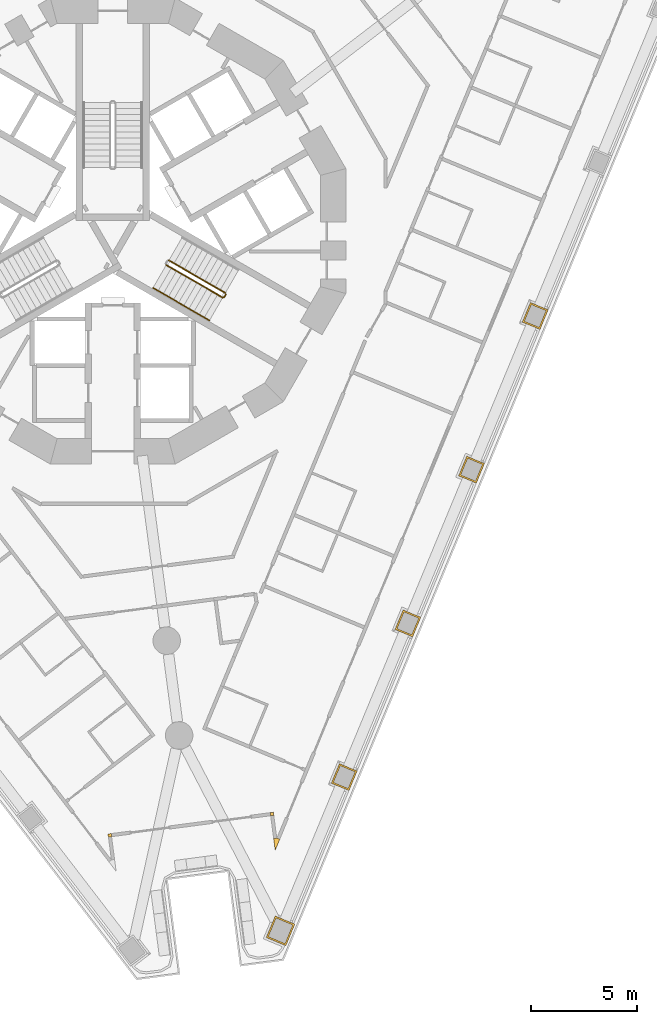
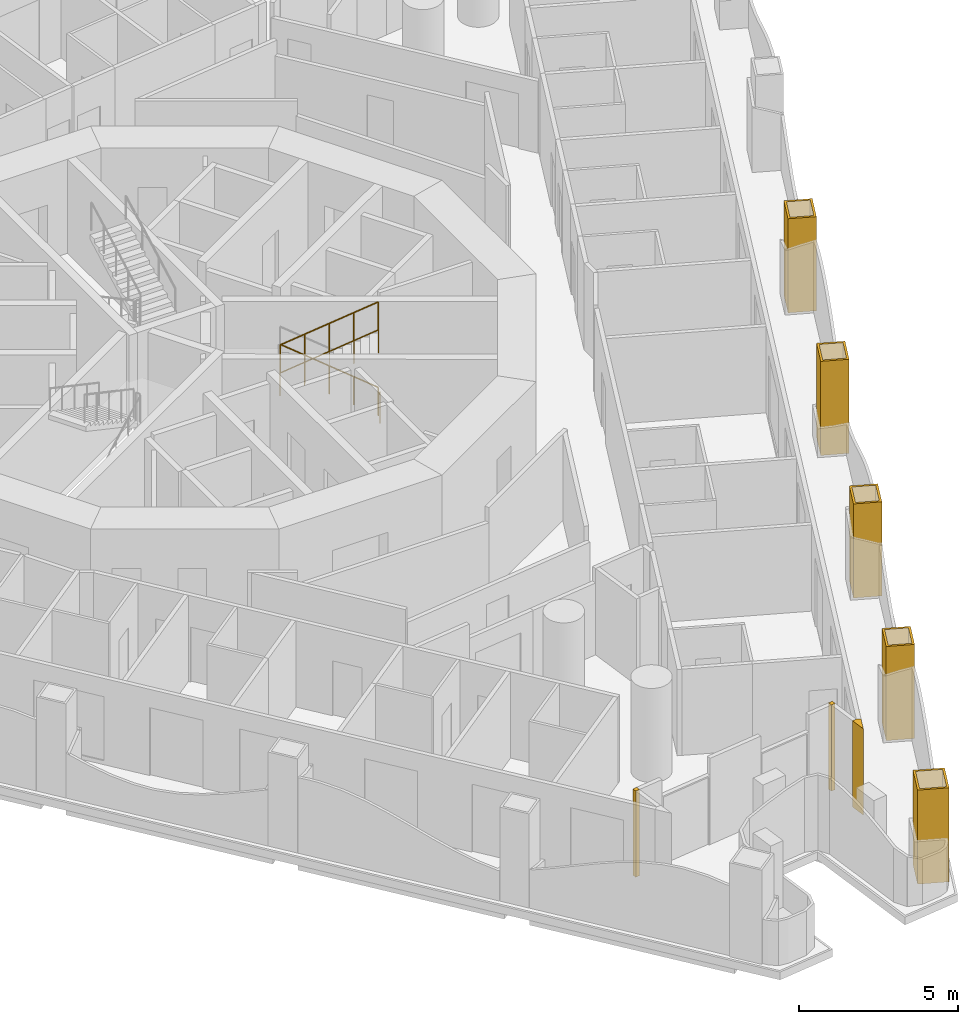
# One storey, part 14 of 19: 8 coverings, 5 railings.
"""IFC4 building model written with IfcOpenShell, lengths in metres."""

from ifc_helpers import new_model, si_unit, direction, frame, origin, origin_2d, place, context, subcontext, project, spatial, polyline, circle, outline, extrude, material, layer, layer_set, type_object, element, save


model = new_model("IFC4")

# Units and contexts
model_context = context("Model", 3, precision=1e-05, world=origin(), true_north=direction((0.0, 1.0)))
body_context = subcontext(model_context, "Body", "Model", "MODEL_VIEW")
ifc_project = project(units=[si_unit("LENGTHUNIT", "METRE"), si_unit("AREAUNIT", "SQUARE_METRE"), si_unit("VOLUMEUNIT", "CUBIC_METRE"), si_unit("PLANEANGLEUNIT", "RADIAN"), si_unit("MASSUNIT", "GRAM", prefix="KILO")], contexts=[model_context])

# Site, building, storey
site_placement = place(None, origin())
site = spatial("IfcSite", under=ifc_project, at=site_placement, CompositionType="ELEMENT")
building_placement = place(site_placement, origin())
building = spatial("IfcBuilding", under=site, at=building_placement, Name="Trine Commons Tower", CompositionType="ELEMENT")
storey_placement = place(building_placement, frame((0.0, 0.0, 54.0)))
storey = spatial("IfcBuildingStorey", under=building, at=storey_placement, Name="L12", CompositionType="ELEMENT", Elevation=54.0)

# Coverings
ifc_material_1 = material(Name="Aluminium-framed insulated wall panel", Category="aluminium")
ifc_layer_1 = layer(ifc_material_1, 0.14990234375)
ifc_layer_set_1 = layer_set([ifc_layer_1], Name="Aluminium-framed insulated wall panel")
covering_type_1 = type_object("IfcCoveringType", Name="Glazing corner post, aluminium", PredefinedType="CLADDING", material=ifc_layer_set_1)
covering_1_placement = place(storey_placement, origin())
element("IfcCovering", 1, at=covering_1_placement, inside=storey, type_object=covering_type_1, Name="Glazing corner post 2-09", PredefinedType="CLADDING", context=body_context, shape_type="SweptSolid", body=[
    extrude(outline(polyline([(87.6015625, 33.79736328125), (87.674560546875, 33.242431640625), (87.888916015625, 33.759521484375), (87.750244140625, 33.81689453125), (87.6015625, 33.79736328125)])), origin(), (0.0, 0.0, 1.0), 3.300048828125),
])
covering_2_placement = place(storey_placement, origin())
element("IfcCovering", 2, at=covering_2_placement, inside=storey, type_object=covering_type_1, Name="Glazing corner post 2-10", PredefinedType="CLADDING", context=body_context, shape_type="SweptSolid", body=[
    extrude(outline(polyline([(87.440185546875, 35.0224609375), (87.459716796875, 34.873779296875), (87.6083984375, 34.893310546875), (87.5888671875, 35.0419921875), (87.440185546875, 35.0224609375)])), origin(), (0.0, 0.0, 1.0), 3.300048828125),
])
covering_3_placement = place(storey_placement, origin())
element("IfcCovering", 3, at=covering_3_placement, inside=storey, type_object=covering_type_1, Name="Glazing corner post 2-11", PredefinedType="CLADDING", context=body_context, shape_type="SweptSolid", body=[
    extrude(outline(polyline([(79.7958984375, 33.864990234375), (79.944580078125, 33.884521484375), (79.925048828125, 34.033203125), (79.7763671875, 34.013671875), (79.7958984375, 33.864990234375)])), origin(), (0.0, 0.0, 1.0), 3.300048828125),
])
ifc_material_2 = material(Name="Limestone, honed", Category="masonry")
ifc_layer_2 = layer(ifc_material_2, 0.074951171875)
ifc_layer_set_2 = layer_set([ifc_layer_2], Name="Limestone, honed")
covering_type_2 = type_object("IfcCoveringType", Name="Limestone column cladding 75", PredefinedType="CLADDING", material=ifc_layer_set_2)
covering_4_placement = place(storey_placement, origin())
element("IfcCovering", 4, at=covering_4_placement, inside=storey, type_object=covering_type_2, Name="Limestone pier cladding 2-20", PredefinedType="CLADDING", context=body_context, shape_type="SweptSolid", body=[
    extrude(outline(polyline([(100.5673828125, 58.77587890625), (99.73583984375, 59.120361328125), (99.35302734375, 58.196533203125), (100.1845703125, 57.852294921875), (100.5673828125, 58.77587890625)]), holes=[polyline([(100.46923828125, 58.7353515625), (99.7763671875, 59.0224609375), (99.451171875, 58.2373046875), (100.14404296875, 57.9501953125), (100.46923828125, 58.7353515625)])]), origin(), (0.0, 0.0, 1.0), 3.60009765625),
])
covering_5_placement = place(storey_placement, origin())
element("IfcCovering", 5, at=covering_5_placement, inside=storey, type_object=covering_type_2, Name="Limestone pier cladding 2-21", PredefinedType="CLADDING", context=body_context, shape_type="SweptSolid", body=[
    extrude(outline(polyline([(97.55908203125, 51.513916015625), (96.727783203125, 51.858154296875), (96.344970703125, 50.934326171875), (97.176513671875, 50.590087890625), (97.55908203125, 51.513916015625)]), holes=[polyline([(97.461181640625, 51.47314453125), (96.768310546875, 51.76025390625), (96.443115234375, 50.97509765625), (97.135986328125, 50.68798828125), (97.461181640625, 51.47314453125)])]), origin(), (0.0, 0.0, 1.0), 3.60009765625),
])
covering_6_placement = place(storey_placement, origin())
element("IfcCovering", 6, at=covering_6_placement, inside=storey, type_object=covering_type_2, Name="Limestone pier cladding 2-22", PredefinedType="CLADDING", context=body_context, shape_type="SweptSolid", body=[
    extrude(outline(polyline([(94.551025390625, 44.251708984375), (93.719482421875, 44.59619140625), (93.3369140625, 43.67236328125), (94.16845703125, 43.327880859375), (94.551025390625, 44.251708984375)]), holes=[polyline([(94.453125, 44.211181640625), (93.76025390625, 44.498291015625), (93.434814453125, 43.712890625), (94.127685546875, 43.42578125), (94.453125, 44.211181640625)])]), origin(), (0.0, 0.0, 1.0), 3.60009765625),
])
covering_7_placement = place(storey_placement, origin())
element("IfcCovering", 7, at=covering_7_placement, inside=storey, type_object=covering_type_2, Name="Limestone pier cladding 2-23", PredefinedType="CLADDING", context=body_context, shape_type="SweptSolid", body=[
    extrude(outline(polyline([(91.54296875, 36.989501953125), (90.71142578125, 37.333984375), (90.328857421875, 36.41015625), (91.160400390625, 36.065673828125), (91.54296875, 36.989501953125)]), holes=[polyline([(91.445068359375, 36.948974609375), (90.752197265625, 37.236083984375), (90.4267578125, 36.45068359375), (91.11962890625, 36.16357421875), (91.445068359375, 36.948974609375)])]), origin(), (0.0, 0.0, 1.0), 3.60009765625),
])
covering_8_placement = place(storey_placement, origin())
element("IfcCovering", 8, at=covering_8_placement, inside=storey, type_object=covering_type_2, Name="Limestone pier cladding 2-24", PredefinedType="CLADDING", context=body_context, shape_type="SweptSolid", body=[
    extrude(outline(polyline([(88.60009765625, 29.75439453125), (87.67626953125, 30.13720703125), (87.25537109375, 29.120849609375), (88.17919921875, 28.738037109375), (88.60009765625, 29.75439453125)]), holes=[polyline([(88.502197265625, 29.7138671875), (87.716796875, 30.0390625), (87.353515625, 29.161376953125), (88.138671875, 28.836181640625), (88.502197265625, 29.7138671875)])]), origin(), (0.0, 0.0, 1.0), 3.60009765625),
])

# Railings
ifc_material_3 = material(Name="Stainless steel balustrade", Category="steel")
railing_type_1 = type_object("IfcRailingType", Name="Stair guard, steel balustrade 1100", PredefinedType="GUARDRAIL", material=ifc_material_3)
railing_1_placement = place(storey_placement, frame((85.31982421875, 59.572998046875, 0.14990234375)))
element("IfcRailing", 9, at=railing_1_placement, inside=storey, type_object=railing_type_1, Name="L12 ST3A stair guard 1", PredefinedType="GUARDRAIL", context=body_context, shape_type="SweptSolid", body=[
    extrude(circle(Radius=0.02392578125, at=origin_2d()), frame((0.0, 0.0, 1.076171875), z_axis=(-0.763379768245, 0.440728498818, 0.472239049384), x_axis=(-0.499992328818, -0.866029832698, 0.0)), (0.0, 0.0, 1.0), 3.494384765625),
    extrude(circle(Radius=0.02099609375, at=origin_2d()), origin(), (0.0, 0.0, 1.0), 1.052001953125),
    extrude(circle(Radius=0.02099609375, at=origin_2d()), frame((-0.6669921875, 0.385009765625, 0.41259765625)), (0.0, 0.0, 1.0), 1.052001953125),
    extrude(circle(Radius=0.02099609375, at=origin_2d()), frame((-1.333740234375, 0.77001953125, 0.8251953125)), (0.0, 0.0, 1.0), 1.052001953125),
    extrude(circle(Radius=0.02099609375, at=origin_2d()), frame((-2.00048828125, 1.155029296875, 1.237548828125)), (0.0, 0.0, 1.0), 1.052001953125),
    extrude(circle(Radius=0.02099609375, at=origin_2d()), frame((-2.66748046875, 1.5400390625, 1.650146484375)), (0.0, 0.0, 1.0), 1.052001953125),
])
railing_2_placement = place(storey_placement, frame((82.52734375, 60.896484375, 1.949951171875)))
element("IfcRailing", 10, at=railing_2_placement, inside=storey, type_object=railing_type_1, Name="L12 ST3A stair guard 3", PredefinedType="GUARDRAIL", context=body_context, shape_type="SweptSolid", body=[
    extrude(circle(Radius=0.02392578125, at=origin_2d()), frame((0.0, 0.0, 1.076171875), z_axis=(0.763379768245, -0.440728498818, 0.472239049384), x_axis=(0.499992328818, 0.866029832698, 0.0)), (0.0, 0.0, 1.0), 3.494384765625),
    extrude(circle(Radius=0.02099609375, at=origin_2d()), origin(), (0.0, 0.0, 1.0), 1.052001953125),
    extrude(circle(Radius=0.02099609375, at=origin_2d()), frame((0.6669921875, -0.385009765625, 0.41259765625)), (0.0, 0.0, 1.0), 1.052001953125),
    extrude(circle(Radius=0.02099609375, at=origin_2d()), frame((1.333740234375, -0.77001953125, 0.8251953125)), (0.0, 0.0, 1.0), 1.052001953125),
    extrude(circle(Radius=0.02099609375, at=origin_2d()), frame((2.00048828125, -1.155029296875, 1.237548828125)), (0.0, 0.0, 1.0), 1.052001953125),
    extrude(circle(Radius=0.02099609375, at=origin_2d()), frame((2.66748046875, -1.5400390625, 1.650146484375)), (0.0, 0.0, 1.0), 1.052001953125),
])
railing_3_placement = place(storey_placement, frame((85.338134765625, 59.504638671875, 0.0)))
element("IfcRailing", 11, at=railing_3_placement, inside=storey, type_object=railing_type_1, Name="L12 ST3A stair guard 4", PredefinedType="GUARDRAIL", context=body_context, shape_type="SweptSolid", body=[
    extrude(circle(Radius=0.02392578125, at=origin_2d()), frame((0.0, 0.0, 1.076171875), z_axis=(-0.499816412211, -0.866131372301, 0.0), x_axis=(0.866131372301, -0.499816412211, 0.0)), (0.0, 0.0, 1.0), 0.14990234375),
    extrude(circle(Radius=0.02099609375, at=origin_2d()), origin(), (0.0, 0.0, 1.0), 1.052001953125),
    extrude(circle(Radius=0.02099609375, at=origin_2d()), frame((-0.074951171875, -0.1298828125, 0.0)), (0.0, 0.0, 1.0), 1.052001953125),
])
ifc_material_4 = material(Name="Stainless steel handrail", Category="steel")
railing_type_2 = type_object("IfcRailingType", Name="Stair handrail, steel 900", PredefinedType="HANDRAIL", material=ifc_material_4)
railing_4_placement = place(storey_placement, frame((81.90234375, 59.81396484375, 1.949951171875)))
element("IfcRailing", 12, at=railing_4_placement, inside=storey, type_object=railing_type_2, Name="L12 ST3A stair handrail 3", PredefinedType="HANDRAIL", context=body_context, shape_type="SweptSolid", body=[
    extrude(circle(Radius=0.02099609375, at=origin_2d()), frame((0.0, 0.0, 0.87890625), z_axis=(0.76340495495, -0.440743040072, 0.472184759798), x_axis=(0.499992328818, 0.866029832698, 0.0)), (0.0, 0.0, 1.0), 1.7470703125),
    extrude(circle(Radius=0.01513671875, at=origin_2d()), origin(), (0.0, 0.0, 1.0), 0.85791015625),
    extrude(circle(Radius=0.01513671875, at=origin_2d()), frame((0.6669921875, -0.385009765625, 0.41259765625)), (0.0, 0.0, 1.0), 0.85791015625),
    extrude(circle(Radius=0.01513671875, at=origin_2d()), frame((1.333740234375, -0.77001953125, 0.824951171875)), (0.0, 0.0, 1.0), 0.85791015625),
])
railing_5_placement = place(storey_placement, frame((83.236083984375, 59.0439453125, 2.77490234375)))
element("IfcRailing", 13, at=railing_5_placement, inside=storey, type_object=railing_type_2, Name="L12 ST3A stair handrail 4", PredefinedType="HANDRAIL", context=body_context, shape_type="SweptSolid", body=[
    extrude(circle(Radius=0.02099609375, at=origin_2d()), frame((0.0, 0.0, 0.87890625), z_axis=(0.763354580307, -0.440713956853, 0.472293333596), x_axis=(0.499992328818, 0.866029832698, 0.0)), (0.0, 0.0, 1.0), 1.747314453125),
    extrude(circle(Radius=0.01513671875, at=origin_2d()), origin(), (0.0, 0.0, 1.0), 0.85791015625),
    extrude(circle(Radius=0.01513671875, at=origin_2d()), frame((0.6669921875, -0.385009765625, 0.41259765625)), (0.0, 0.0, 1.0), 0.85791015625),
    extrude(circle(Radius=0.01513671875, at=origin_2d()), frame((1.333740234375, -0.77001953125, 0.8251953125)), (0.0, 0.0, 1.0), 0.85791015625),
])

save(model, "model.ifc")
